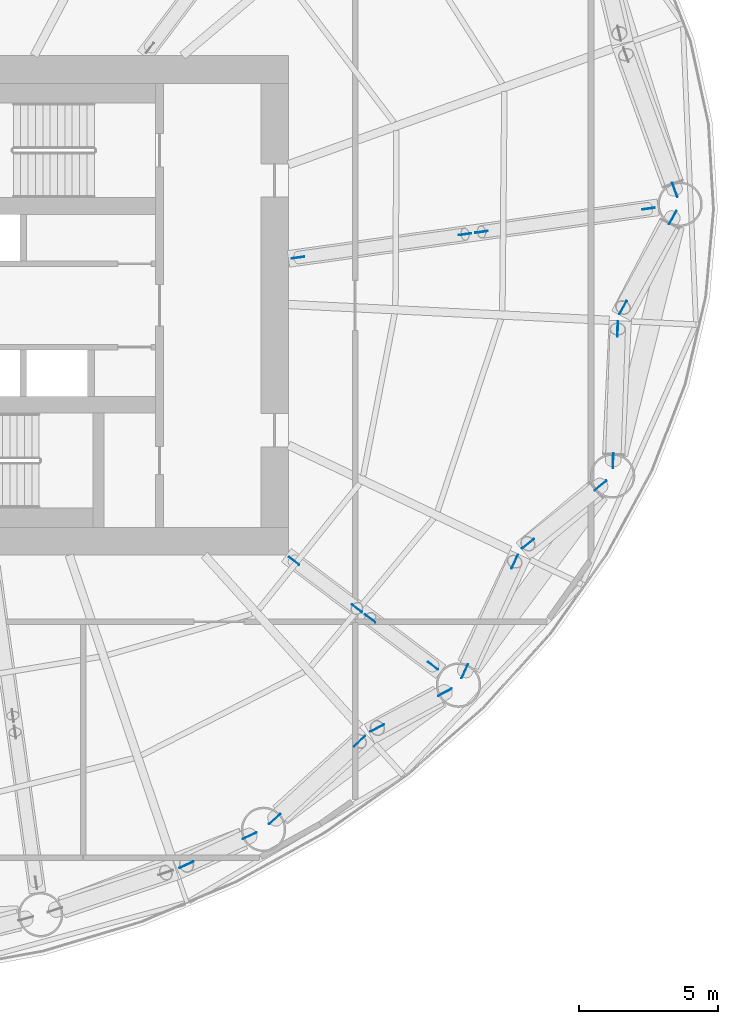
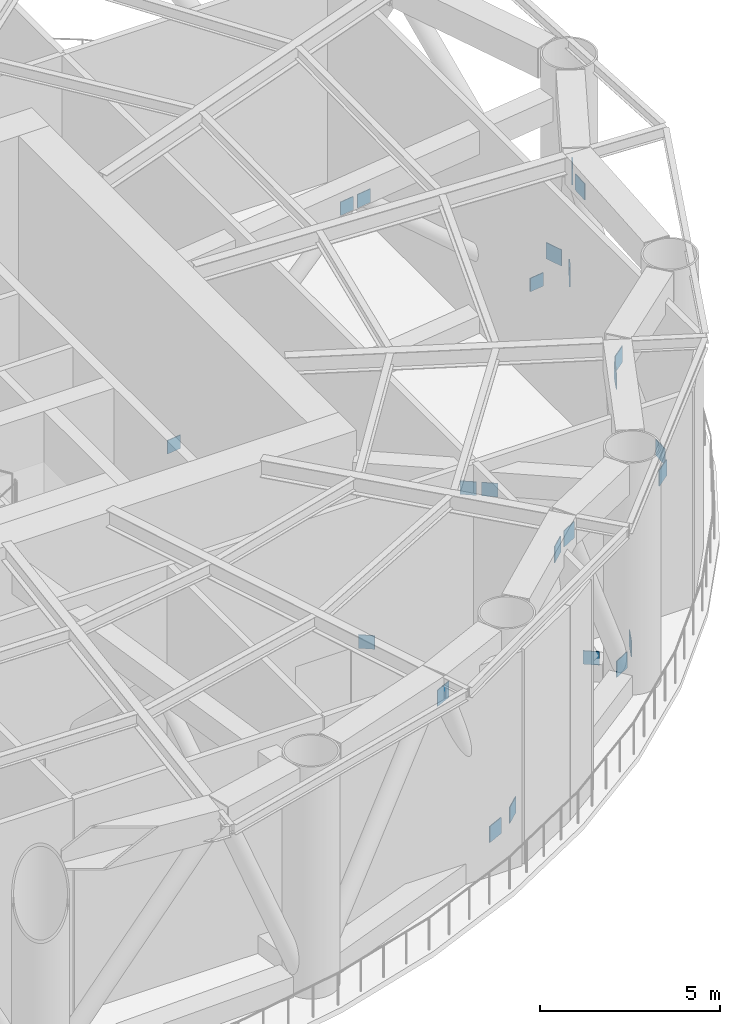
# One storey, part 10 of 15: 23 discrete accessories.
"""IFC4 building model written with IfcOpenShell, lengths in metres."""

from ifc_helpers import new_model, si_unit, direction, frame, origin, origin_2d, place, context, subcontext, project, spatial, rectangle, extrude, element, save


model = new_model("IFC4")

# Units and contexts
model_context = context("Model", 3, precision=1e-05, world=origin(), true_north=direction((0.0, 1.0)))
body_context = subcontext(model_context, "Body", "Model", "MODEL_VIEW")
ifc_project = project(units=[si_unit("LENGTHUNIT", "METRE"), si_unit("AREAUNIT", "SQUARE_METRE"), si_unit("VOLUMEUNIT", "CUBIC_METRE"), si_unit("PLANEANGLEUNIT", "RADIAN"), si_unit("MASSUNIT", "GRAM", prefix="KILO")], contexts=[model_context])

# Site, building, storey
site_placement = place(None, origin())
site = spatial("IfcSite", under=ifc_project, at=site_placement, CompositionType="ELEMENT")
building_placement = place(site_placement, origin())
building = spatial("IfcBuilding", under=site, at=building_placement, Name="Vermilion Reach Broadcast Tower", CompositionType="ELEMENT")
storey_placement = place(building_placement, frame((0.0, 0.0, 135.39990234375)))
storey = spatial("IfcBuildingStorey", under=building, at=storey_placement, Name="L32", CompositionType="ELEMENT", Elevation=135.39990234375)

# Discrete accessories
for number, where, z_axis, x_axis, name in (
    (1, (4.60009765625, -19.111083984375, 0.52490234375), (0.0, 0.0, 1.0), (0.418023535794, -0.908436196726, 0.0), "Gusset plate BT2-D12B foot"),
    (2, (2.3251953125, -20.15771484375, 6.56494140625), (0.0, 0.0, 1.0), (0.418023535794, -0.908436196726, 0.0), "Gusset plate BT2-D12B head"),
    (3, (5.504638671875, -18.509033203125, 0.52490234375), (0.0, 0.0, 1.0), (-0.676424917796, 0.736511595689, 0.0), "Gusset plate BT2-D13A foot"),
    (4, (8.5576171875, -15.705078125, 6.56494140625), (0.0, 0.0, 1.0), (-0.676424917796, 0.736511595689, 0.0), "Gusset plate BT2-D13A head"),
    (5, (11.638427734375, -13.93994140625, 0.52490234375), (0.0, 0.0, 1.0), (0.467589762536, -0.883945594464, 0.0), "Gusset plate BT2-D13B foot"),
    (6, (9.20068359375, -15.229248046875, 6.56494140625), (0.0, 0.0, 1.0), (0.467589762536, -0.883945594464, 0.0), "Gusset plate BT2-D13B head"),
    (7, (12.3525390625, -13.18212890625, 0.52490234375), (0.0, 0.0, 1.0), (-0.910046341946, 0.414506520467, 0.0), "Gusset plate BT2-D14A foot"),
    (8, (14.15087890625, -9.233642578125, 6.56494140625), (0.0, 0.0, 1.0), (-0.910046341946, 0.414506520467, 0.0), "Gusset plate BT2-D14A head"),
    (9, (17.249267578125, -6.489501953125, 0.52490234375), (0.0, 0.0, 1.0), (0.62492224011, -0.780687001183, 0.0), "Gusset plate BT2-D14B foot"),
    (10, (14.62548828125, -8.589599609375, 6.56494140625), (0.0, 0.0, 1.0), (0.62492224011, -0.780687001183, 0.0), "Gusset plate BT2-D14B head"),
    (11, (17.69775390625, -5.59619140625, 0.52490234375), (0.0, 0.0, 1.0), (-0.999393166234, 0.034832445851, 0.0), "Gusset plate BT2-D15A foot"),
    (12, (17.863037109375, -0.8525390625, 6.56494140625), (0.0, 0.0, 1.0), (-0.999393166234, 0.034832445851, 0.0), "Gusset plate BT2-D15A head"),
    (13, (19.84326171875, 3.16455078125, 0.52490234375), (0.0, 0.0, 1.0), (0.875632505237, -0.482977966135, 0.0), "Gusset plate BT2-D15B foot"),
    (14, (18.055908203125, -0.075927734375, 6.56494140625), (0.0, 0.0, 1.0), (0.875632505237, -0.482977966135, 0.0), "Gusset plate BT2-D15B head"),
    (15, (19.921630859375, 4.163330078125, 0.52490234375), (0.0, 0.0, 1.0), (-0.940315051773, -0.340305162185, 0.0), "Gusset plate BT2-D16A foot"),
):
    element("IfcDiscreteAccessory", number, at=place(storey_placement, frame(where, z_axis=z_axis, x_axis=x_axis)), inside=storey, Name=name, PredefinedType="NOTDEFINED", context=body_context, shape_type="SweptSolid", body=[
        extrude(rectangle(XDim=0.02490234375, YDim=0.550048828125, at=origin_2d()), origin(), (0.0, 0.0, 1.0), 0.550048828125),
    ])
for number, where, z_axis, x_axis, name in (
    (16, (6.201171875, -9.2109375, 0.37158203125), (0.0, 0.0, 1.0), (0.602511728753, 0.79811002795, 0.0), "Gusset plate OR2-14-DA foot"),
    (17, (8.46435546875, -10.919677734375, 5.821533203125), (0.0, 0.0, 1.0), (0.602511728753, 0.79811002795, 0.0), "Gusset plate OR2-14-DA head"),
    (18, (11.206787109375, -12.98974609375, 0.37158203125), (0.0, 0.0, 1.0), (0.602511728753, 0.79811002795, 0.0), "Gusset plate OR2-14-DB foot"),
    (19, (8.943359375, -11.281005859375, 5.821533203125), (0.0, 0.0, 1.0), (0.602511728753, 0.79811002795, 0.0), "Gusset plate OR2-14-DB head"),
    (20, (6.3466796875, 1.72412109375, 0.37158203125), (0.0, 0.0, 1.0), (-0.138308891754, 0.990389140925, 0.0), "Gusset plate OR2-16-DA foot"),
    (21, (12.361083984375, 2.564208984375, 5.821533203125), (0.0, 0.0, 1.0), (-0.138308891754, 0.990389140925, 0.0), "Gusset plate OR2-16-DA head"),
    (22, (18.969970703125, 3.487060546875, 0.37158203125), (0.0, 0.0, 1.0), (-0.138308891754, 0.990389140925, 0.0), "Gusset plate OR2-16-DB foot"),
    (23, (12.955322265625, 2.647216796875, 5.821533203125), (0.0, 0.0, 1.0), (-0.138308891754, 0.990389140925, 0.0), "Gusset plate OR2-16-DB head"),
):
    element("IfcDiscreteAccessory", number, at=place(storey_placement, frame(where, z_axis=z_axis, x_axis=x_axis)), inside=storey, Name=name, PredefinedType="NOTDEFINED", context=body_context, shape_type="SweptSolid", body=[
        extrude(rectangle(XDim=0.02490234375, YDim=0.45703125, at=origin_2d()), origin(), (0.0, 0.0, 1.0), 0.45703125),
    ])

save(model, "model.ifc")
